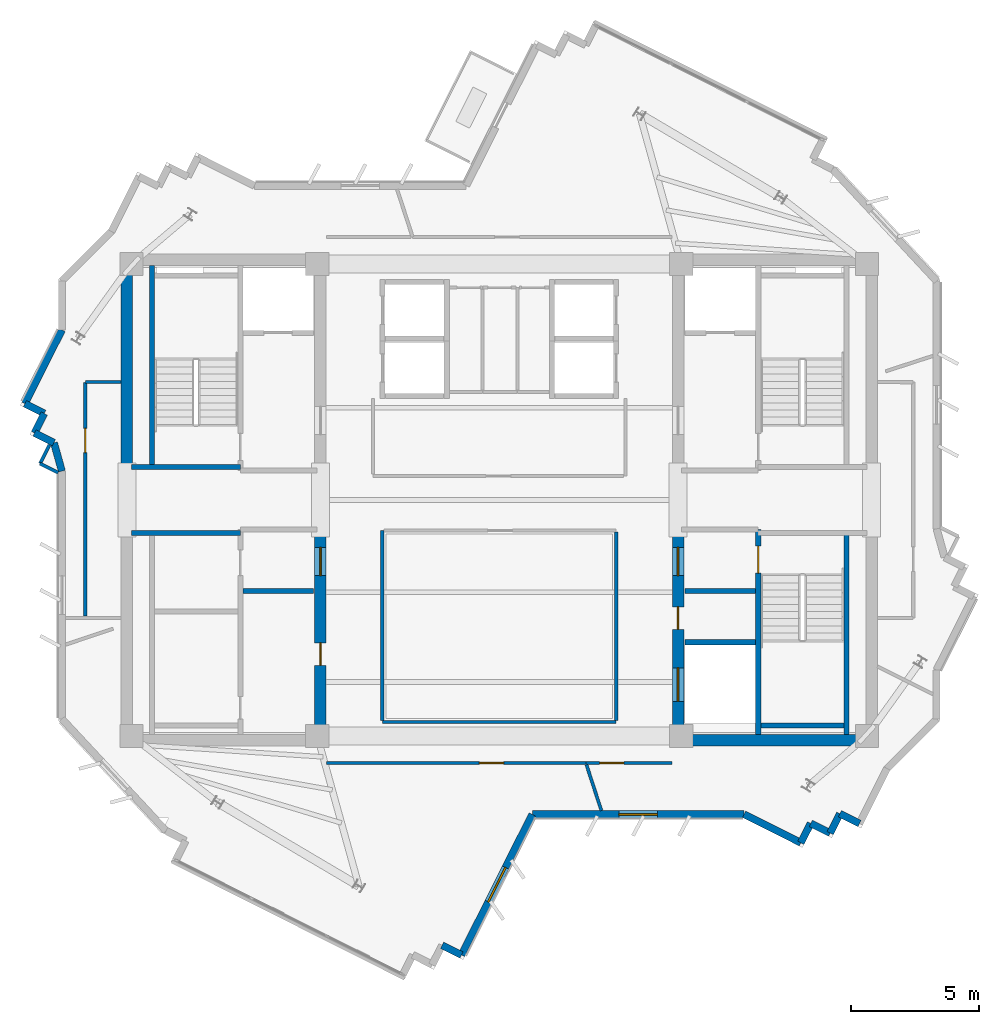
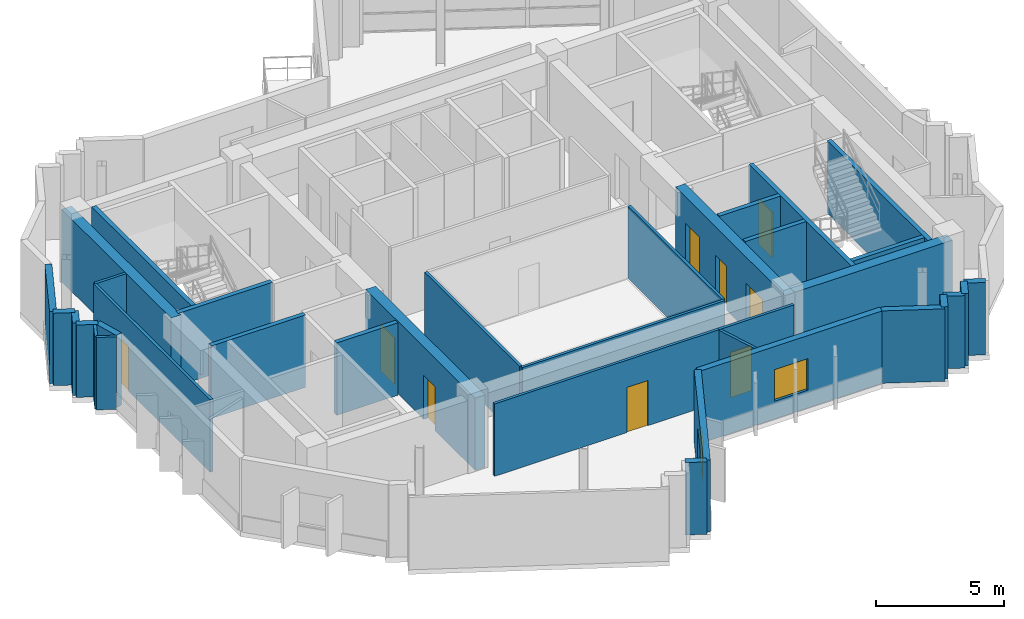
# One storey, part 6 of 11: 36 walls, 9 doors, 2 windows, 11 openings.
"""IFC4 building model written with IfcOpenShell, lengths in metres."""

from ifc_helpers import new_model, si_unit, direction, frame, frame_2d, origin, place, context, subcontext, project, spatial, rectangle, extrude, source, transform, mapped, material, layer, layer_set, type_object, element, fill, save


model = new_model("IFC4")

# Units and contexts
model_context = context("Model", 3, precision=1e-05, world=origin(), true_north=direction((0.0, 1.0)))
body_context = subcontext(model_context, "Body", "Model", "MODEL_VIEW")
ifc_project = project(units=[si_unit("LENGTHUNIT", "METRE"), si_unit("AREAUNIT", "SQUARE_METRE"), si_unit("VOLUMEUNIT", "CUBIC_METRE"), si_unit("PLANEANGLEUNIT", "RADIAN"), si_unit("MASSUNIT", "GRAM", prefix="KILO")], contexts=[model_context])

# Site, building, storey
site_placement = place(None, origin())
site = spatial("IfcSite", under=ifc_project, at=site_placement, CompositionType="ELEMENT")
building_placement = place(site_placement, origin())
building = spatial("IfcBuilding", under=site, at=building_placement, Name="Zahravan Cultural Tower", CompositionType="ELEMENT")
storey_placement = place(building_placement, frame((0.0, 0.0, 357.300048828125)))
storey = spatial("IfcBuildingStorey", under=building, at=storey_placement, Name="L87", CompositionType="ELEMENT", Elevation=357.300048828125)

# Wall, openings, doors
ifc_material_1 = material(Name="Concrete C50/60", Category="concrete")
ifc_layer_1 = layer(ifc_material_1, 0.449951171875)
ifc_layer_set_1 = layer_set([ifc_layer_1], Name="Concrete C50/60")
wall_type_1 = type_object("IfcWallType", Name="CW-SHEAR-450-C50", PredefinedType="SHEAR", material=ifc_layer_set_1)
wall_1_placement = place(storey_placement, frame((29.02490234375, 17.39990234375, 0.0), z_axis=(0.0, 0.0, 1.0), x_axis=(0.0, 1.0, 0.0)))
wall_1 = element("IfcWall", 1, at=wall_1_placement, inside=storey, type_object=wall_type_1, Name="L87 Core Shear Wall CW-W-ES-L87", PredefinedType="SHEAR", context=body_context, shape_type="SweptSolid", body=[
    extrude(rectangle(XDim=8.550048828125, YDim=0.449951171875, at=frame_2d((4.27490234375, 0.0))), origin(), (0.0, 0.0, 1.0), 3.449951171875),
])
opening_1_placement = place(wall_1_placement, frame((6.64990234375, 0.0, 0.0)))
opening_1 = element("IfcOpeningElement", 2, at=opening_1_placement, cuts=wall_1, Name="Opening D-L87-08", PredefinedType="OPENING", context=body_context, shape_type="SweptSolid", body=[
    extrude(rectangle(XDim=1.10009765625, YDim=2.199951171875, at=frame_2d((0.550048828125, 1.10009765625))), frame((0.0, 0.23486328125, 0.0), z_axis=(0.0, -1.0, 0.0), x_axis=(1.0, 0.0, 0.0)), (0.0, 0.0, 1.0), 0.469970703125),
])
opening_2_placement = place(wall_1_placement, frame((3.14990234375, 0.0, 0.0)))
opening_2 = element("IfcOpeningElement", 3, at=opening_2_placement, cuts=wall_1, Name="Opening D-L87-10", PredefinedType="OPENING", context=body_context, shape_type="SweptSolid", body=[
    extrude(rectangle(XDim=0.8798828125, YDim=2.10009765625, at=frame_2d((0.43994140625, 1.050048828125))), frame((0.0, 0.23486328125, 0.0), z_axis=(0.0, -1.0, 0.0), x_axis=(1.0, 0.0, 0.0)), (0.0, 0.0, 1.0), 0.469970703125),
])
ifc_material_2 = material(Name="Steel ASTM A572 Grade 50", Category="steel")
door_type_1 = type_object("IfcDoorType", Name="DR-LOBBY-1100", OperationType="NOTDEFINED", PredefinedType="DOOR", material=ifc_material_2)
shared_shape_1 = source(origin(), body_context, "Body", "SweptSolid", [
    extrude(rectangle(XDim=1.10009765625, YDim=2.199951171875, at=frame_2d((0.550048828125, 1.10009765625))), frame((0.0, 0.02490234375, 0.0), z_axis=(0.0, -1.0, 0.0), x_axis=(1.0, 0.0, 0.0)), (0.0, 0.0, 1.0), 0.050048828125),
])
door_1_placement = place(opening_1_placement, origin())
door_1 = element("IfcDoor", 4, at=door_1_placement, inside=storey, type_object=door_type_1, Name="L87 Door D-L87-08", OperationType="SINGLE_SWING_LEFT", OverallHeight=2.199951171875, OverallWidth=1.10009765625, PredefinedType="DOOR", context=body_context, shape_type="MappedRepresentation", body=[
    mapped(shared_shape_1, transform((0.0, 0.0, 0.0), x_axis=(1.0, 0.0, 0.0), y_axis=(0.0, 1.0, 0.0), z_axis=(0.0, 0.0, 1.0), scale=1.0)),
])
fill(opening_1, door_1)
door_type_2 = type_object("IfcDoorType", Name="DR-SVC-880", OperationType="NOTDEFINED", PredefinedType="DOOR", material=ifc_material_2)
shared_shape_2 = source(origin(), body_context, "Body", "SweptSolid", [
    extrude(rectangle(XDim=0.8798828125, YDim=2.10009765625, at=frame_2d((0.43994140625, 1.050048828125))), frame((0.0, 0.02490234375, 0.0), z_axis=(0.0, -1.0, 0.0), x_axis=(1.0, 0.0, 0.0)), (0.0, 0.0, 1.0), 0.050048828125),
])
door_2_placement = place(opening_2_placement, origin())
door_2 = element("IfcDoor", 5, at=door_2_placement, inside=storey, type_object=door_type_2, Name="L87 Door D-L87-10", OperationType="SINGLE_SWING_LEFT", OverallHeight=2.10009765625, OverallWidth=0.8798828125, PredefinedType="DOOR", context=body_context, shape_type="MappedRepresentation", body=[
    mapped(shared_shape_2, transform((0.0, 0.0, 0.0), x_axis=(1.0, 0.0, 0.0), y_axis=(0.0, 1.0, 0.0), z_axis=(0.0, 0.0, 1.0), scale=1.0)),
])
fill(opening_2, door_2)

wall_2_placement = place(storey_placement, frame((42.97509765625, 17.39990234375, 0.0), z_axis=(0.0, 0.0, 1.0), x_axis=(0.0, 1.0, 0.0)))
wall_2 = element("IfcWall", 6, at=wall_2_placement, inside=storey, type_object=wall_type_1, Name="L87 Core Shear Wall CW-E-WS-L87", PredefinedType="SHEAR", context=body_context, shape_type="SweptSolid", body=[
    extrude(rectangle(XDim=8.550048828125, YDim=0.449951171875, at=frame_2d((4.27490234375, 0.0))), origin(), (0.0, 0.0, 1.0), 3.449951171875),
])
opening_3_placement = place(wall_2_placement, frame((6.64990234375, 0.0, 0.0)))
opening_3 = element("IfcOpeningElement", 7, at=opening_3_placement, cuts=wall_2, Name="Opening D-L87-09", PredefinedType="OPENING", context=body_context, shape_type="SweptSolid", body=[
    extrude(rectangle(XDim=1.10009765625, YDim=2.199951171875, at=frame_2d((0.550048828125, 1.10009765625))), frame((0.0, 0.23486328125, 0.0), z_axis=(0.0, -1.0, 0.0), x_axis=(1.0, 0.0, 0.0)), (0.0, 0.0, 1.0), 0.469970703125),
])
opening_4_placement = place(wall_2_placement, frame((1.75, 0.0, 0.0)))
opening_4 = element("IfcOpeningElement", 8, at=opening_4_placement, cuts=wall_2, Name="Opening LD-L87-03", PredefinedType="OPENING", context=body_context, shape_type="SweptSolid", body=[
    extrude(rectangle(XDim=1.300048828125, YDim=2.199951171875, at=frame_2d((0.64990234375, 1.10009765625))), frame((0.0, 0.23486328125, 0.0), z_axis=(0.0, -1.0, 0.0), x_axis=(1.0, 0.0, 0.0)), (0.0, 0.0, 1.0), 0.469970703125),
])
opening_5_placement = place(wall_2_placement, frame((4.550048828125, 0.0, 0.0)))
opening_5 = element("IfcOpeningElement", 9, at=opening_5_placement, cuts=wall_2, Name="Opening D-L87-11", PredefinedType="OPENING", context=body_context, shape_type="SweptSolid", body=[
    extrude(rectangle(XDim=0.8798828125, YDim=2.10009765625, at=frame_2d((0.43994140625, 1.050048828125))), frame((0.0, 0.23486328125, 0.0), z_axis=(0.0, -1.0, 0.0), x_axis=(1.0, 0.0, 0.0)), (0.0, 0.0, 1.0), 0.469970703125),
])
door_3_placement = place(opening_3_placement, origin())
door_3 = element("IfcDoor", 10, at=door_3_placement, inside=storey, type_object=door_type_1, Name="L87 Door D-L87-09", OperationType="SINGLE_SWING_RIGHT", OverallHeight=2.199951171875, OverallWidth=1.10009765625, PredefinedType="DOOR", context=body_context, shape_type="MappedRepresentation", body=[
    mapped(shared_shape_1, transform((0.0, 0.0, 0.0), x_axis=(1.0, 0.0, 0.0), y_axis=(0.0, 1.0, 0.0), z_axis=(0.0, 0.0, 1.0), scale=1.0)),
])
fill(opening_3, door_3)
door_type_3 = type_object("IfcDoorType", Name="DR-LIFT-1300", OperationType="DOUBLE_DOOR_SLIDING", PredefinedType="DOOR", material=ifc_material_2)
shared_shape_3 = source(origin(), body_context, "Body", "SweptSolid", [
    extrude(rectangle(XDim=1.300048828125, YDim=2.199951171875, at=frame_2d((0.64990234375, 1.10009765625))), frame((0.0, 0.02490234375, 0.0), z_axis=(0.0, -1.0, 0.0), x_axis=(1.0, 0.0, 0.0)), (0.0, 0.0, 1.0), 0.050048828125),
])
door_4_placement = place(opening_4_placement, origin())
door_4 = element("IfcDoor", 11, at=door_4_placement, inside=storey, type_object=door_type_3, Name="L87 Door LD-L87-03", OperationType="DOUBLE_DOOR_SLIDING", OverallHeight=2.199951171875, OverallWidth=1.300048828125, PredefinedType="DOOR", context=body_context, shape_type="MappedRepresentation", body=[
    mapped(shared_shape_3, transform((0.0, 0.0, 0.0), x_axis=(1.0, 0.0, 0.0), y_axis=(0.0, 1.0, 0.0), z_axis=(0.0, 0.0, 1.0), scale=1.0)),
])
fill(opening_4, door_4)
door_5_placement = place(opening_5_placement, origin())
door_5 = element("IfcDoor", 12, at=door_5_placement, inside=storey, type_object=door_type_2, Name="L87 Door D-L87-11", OperationType="SINGLE_SWING_RIGHT", OverallHeight=2.10009765625, OverallWidth=0.8798828125, PredefinedType="DOOR", context=body_context, shape_type="MappedRepresentation", body=[
    mapped(shared_shape_2, transform((0.0, 0.0, 0.0), x_axis=(1.0, 0.0, 0.0), y_axis=(0.0, 1.0, 0.0), z_axis=(0.0, 0.0, 1.0), scale=1.0)),
])
fill(opening_5, door_5)

# Wall, opening, window
ifc_material_3 = material(Name="Precast concrete C40/50", Category="concrete")
ifc_layer_2 = layer(ifc_material_3, 0.280029296875)
ifc_layer_set_2 = layer_set([ifc_layer_2], Name="Precast concrete C40/50")
wall_type_2 = type_object("IfcWallType", Name="EW-TC-280", PredefinedType="SOLIDWALL", material=ifc_layer_set_2)
wall_3_placement = place(storey_placement, frame((45.5537109375, 14.739990234375, 0.0), z_axis=(0.0, 0.0, 1.0), x_axis=(-1.0, 0.0, 0.0)))
wall_3 = element("IfcWall", 13, at=wall_3_placement, inside=storey, type_object=wall_type_2, Name="L87 Exterior Masonry Frame Wall 23", PredefinedType="SOLIDWALL", context=body_context, shape_type="SweptSolid", body=[
    extrude(rectangle(XDim=8.264892578125, YDim=0.280029296875, at=frame_2d((4.13232421875, 0.0))), origin(), (0.0, 0.0, 1.0), 3.449951171875),
])
opening_6_placement = place(wall_3_placement, frame((3.383056640625, 0.0, 0.85009765625)))
opening_6 = element("IfcOpeningElement", 14, at=opening_6_placement, cuts=wall_3, Name="Opening WN-03", PredefinedType="OPENING", context=body_context, shape_type="SweptSolid", body=[
    extrude(rectangle(XDim=1.5, YDim=1.5, at=frame_2d((0.75, 0.75))), frame((0.0, 0.14990234375, 0.0), z_axis=(0.0, -1.0, 0.0), x_axis=(1.0, 0.0, 0.0)), (0.0, 0.0, 1.0), 0.300048828125),
])
ifc_material_4 = material(Name="Low-E solar-control double glazing", Category="glass")
window_type = type_object("IfcWindowType", Name="WN-REC-1500X1500", PartitioningType="SINGLE_PANEL", PredefinedType="WINDOW", material=ifc_material_4)
shared_shape_4 = source(origin(), body_context, "Body", "SweptSolid", [
    extrude(rectangle(XDim=1.5, YDim=1.5, at=frame_2d((0.75, 0.75))), frame((0.0, 0.030029296875, 0.0), z_axis=(0.0, -1.0, 0.0), x_axis=(1.0, 0.0, 0.0)), (0.0, 0.0, 1.0), 0.06005859375),
])
window_1_placement = place(opening_6_placement, origin())
window_1 = element("IfcWindow", 15, at=window_1_placement, inside=storey, type_object=window_type, Name="L87 Recessed Solar Window 03", OverallHeight=1.5, OverallWidth=1.5, PartitioningType="SINGLE_PANEL", PredefinedType="WINDOW", context=body_context, shape_type="MappedRepresentation", body=[
    mapped(shared_shape_4, transform((0.0, 0.0, 0.0), x_axis=(1.0, 0.0, 0.0), y_axis=(0.0, 1.0, 0.0), z_axis=(0.0, 0.0, 1.0), scale=1.0)),
])
fill(opening_6, window_1)

wall_4_placement = place(storey_placement, frame((37.288818359375, 14.739990234375, 0.0), z_axis=(0.0, 0.0, 1.0), x_axis=(-0.449325511899, -0.893368112458, 0.0)))
wall_4 = element("IfcWall", 16, at=wall_4_placement, inside=storey, type_object=wall_type_2, Name="L87 Exterior Masonry Frame Wall 24", PredefinedType="SOLIDWALL", context=body_context, shape_type="SweptSolid", body=[
    extrude(rectangle(XDim=6.146484375, YDim=0.280029296875, at=frame_2d((3.0732421875, 0.0))), origin(), (0.0, 0.0, 1.0), 3.449951171875),
])
opening_7_placement = place(wall_4_placement, frame((2.322998046875, 0.0, 0.85009765625)))
opening_7 = element("IfcOpeningElement", 17, at=opening_7_placement, cuts=wall_4, Name="Opening WN-03", PredefinedType="OPENING", context=body_context, shape_type="SweptSolid", body=[
    extrude(rectangle(XDim=1.5, YDim=1.5, at=frame_2d((0.75, 0.75))), frame((0.0, 0.14990234375, 0.0), z_axis=(0.0, -1.0, 0.0), x_axis=(1.0, 0.0, 0.0)), (0.0, 0.0, 1.0), 0.300048828125),
])
window_2_placement = place(opening_7_placement, origin())
window_2 = element("IfcWindow", 18, at=window_2_placement, inside=storey, type_object=window_type, Name="L87 Recessed Solar Window 04", OverallHeight=1.5, OverallWidth=1.5, PartitioningType="SINGLE_PANEL", PredefinedType="WINDOW", context=body_context, shape_type="MappedRepresentation", body=[
    mapped(shared_shape_4, transform((0.0, 0.0, 0.0), x_axis=(1.0, 0.0, 0.0), y_axis=(0.0, 1.0, 0.0), z_axis=(0.0, 0.0, 1.0), scale=1.0)),
])
fill(opening_7, window_2)

# Wall, opening, door
ifc_material_5 = material(Name="Gypsum plasterboard partition")
ifc_layer_3 = layer(ifc_material_5, 0.125)
ifc_layer_set_3 = layer_set([ifc_layer_3], Name="Gypsum plasterboard partition")
wall_type_3 = type_object("IfcWallType", Name="W-PART-125", PredefinedType="PARTITIONING", material=ifc_layer_set_3)
wall_5_placement = place(storey_placement, frame((39.380126953125, 16.739990234375, 0.0), z_axis=(0.0, 0.0, 1.0), x_axis=(1.0, 0.0, 0.0)))
wall_5 = element("IfcWall", 19, at=wall_5_placement, inside=storey, type_object=wall_type_3, Name="L87 Interior Wall 059", PredefinedType="PARTITIONING", context=body_context, shape_type="SweptSolid", body=[
    extrude(rectangle(XDim=3.364013671875, YDim=0.125, at=frame_2d((1.68212890625, 0.0))), origin(), (0.0, 0.0, 1.0), 3.449951171875),
])
opening_8_placement = place(wall_5_placement, frame((0.531005859375, 0.0, 0.0)))
opening_8 = element("IfcOpeningElement", 20, at=opening_8_placement, cuts=wall_5, Name="Opening D-L87-20", PredefinedType="OPENING", context=body_context, shape_type="SweptSolid", body=[
    extrude(rectangle(XDim=0.949951171875, YDim=2.14990234375, at=frame_2d((0.47509765625, 1.074951171875))), frame((0.0, 0.072509765625, 0.0), z_axis=(0.0, -1.0, 0.0), x_axis=(1.0, 0.0, 0.0)), (0.0, 0.0, 1.0), 0.14501953125),
])
ifc_material_6 = material(Name="Anodised bronze-aluminium mullion", Category="aluminium")
door_type_4 = type_object("IfcDoorType", Name="DR-ROOM-950", OperationType="NOTDEFINED", PredefinedType="DOOR", material=ifc_material_6)
shared_shape_5 = source(origin(), body_context, "Body", "SweptSolid", [
    extrude(rectangle(XDim=0.949951171875, YDim=2.14990234375, at=frame_2d((0.47509765625, 1.074951171875))), frame((0.0, 0.02490234375, 0.0), z_axis=(0.0, -1.0, 0.0), x_axis=(1.0, 0.0, 0.0)), (0.0, 0.0, 1.0), 0.050048828125),
])
door_6_placement = place(opening_8_placement, origin())
door_6 = element("IfcDoor", 21, at=door_6_placement, inside=storey, type_object=door_type_4, Name="L87 Door D-L87-20", OperationType="SINGLE_SWING_LEFT", OverallHeight=2.14990234375, OverallWidth=0.949951171875, PredefinedType="DOOR", context=body_context, shape_type="MappedRepresentation", body=[
    mapped(shared_shape_5, transform((0.0, 0.0, 0.0), x_axis=(1.0, 0.0, 0.0), y_axis=(0.0, 1.0, 0.0), z_axis=(0.0, 0.0, 1.0), scale=1.0)),
])
fill(opening_8, door_6)

wall_6_placement = place(storey_placement, frame((19.850341796875, 31.59228515625, 0.0), z_axis=(0.0, 0.0, 1.0), x_axis=(8.027615e-05, -0.999999996778, 0.0)))
wall_6 = element("IfcWall", 22, at=wall_6_placement, inside=storey, type_object=wall_type_3, Name="L87 Interior Wall 068", PredefinedType="PARTITIONING", context=body_context, shape_type="SweptSolid", body=[
    extrude(rectangle(XDim=9.123779296875, YDim=0.125, at=frame_2d((4.56201171875, 0.0))), origin(), (0.0, 0.0, 1.0), 3.449951171875),
])
opening_9_placement = place(wall_6_placement, frame((1.79833984375, 0.0, 0.0)))
opening_9 = element("IfcOpeningElement", 23, at=opening_9_placement, cuts=wall_6, Name="Opening D-L87-18", PredefinedType="OPENING", context=body_context, shape_type="SweptSolid", body=[
    extrude(rectangle(XDim=0.949951171875, YDim=2.14990234375, at=frame_2d((0.47509765625, 1.074951171875))), frame((0.0, 0.072509765625, 0.0), z_axis=(0.0, -1.0, 0.0), x_axis=(1.0, 0.0, 0.0)), (0.0, 0.0, 1.0), 0.14501953125),
])
door_7_placement = place(opening_9_placement, origin())
door_7 = element("IfcDoor", 24, at=door_7_placement, inside=storey, type_object=door_type_4, Name="L87 Door D-L87-18", OperationType="SINGLE_SWING_LEFT", OverallHeight=2.14990234375, OverallWidth=0.949951171875, PredefinedType="DOOR", context=body_context, shape_type="MappedRepresentation", body=[
    mapped(shared_shape_5, transform((0.0, 0.0, 0.0), x_axis=(1.0, 0.0, 0.0), y_axis=(0.0, 1.0, 0.0), z_axis=(0.0, 0.0, 1.0), scale=1.0)),
])
fill(opening_9, door_7)

wall_7_placement = place(storey_placement, frame((29.257568359375, 16.740234375, 0.0), z_axis=(0.0, 0.0, 1.0), x_axis=(0.999999999709, -2.411847e-05, 0.0)))
wall_7 = element("IfcWall", 25, at=wall_7_placement, inside=storey, type_object=wall_type_3, Name="L87 Interior Wall 073", PredefinedType="PARTITIONING", context=body_context, shape_type="SweptSolid", body=[
    extrude(rectangle(XDim=10.12255859375, YDim=0.125, at=frame_2d((5.061279296875, 0.0))), origin(), (0.0, 0.0, 1.0), 3.449951171875),
])
opening_10_placement = place(wall_7_placement, frame((5.962158203125, 0.0, 0.0)))
opening_10 = element("IfcOpeningElement", 26, at=opening_10_placement, cuts=wall_7, Name="Opening D-L87-19", PredefinedType="OPENING", context=body_context, shape_type="SweptSolid", body=[
    extrude(rectangle(XDim=0.949951171875, YDim=2.14990234375, at=frame_2d((0.47509765625, 1.074951171875))), frame((0.0, 0.072509765625, 0.0), z_axis=(0.0, -1.0, 0.0), x_axis=(1.0, 0.0, 0.0)), (0.0, 0.0, 1.0), 0.14501953125),
])
door_8_placement = place(opening_10_placement, origin())
door_8 = element("IfcDoor", 27, at=door_8_placement, inside=storey, type_object=door_type_4, Name="L87 Door D-L87-19", OperationType="SINGLE_SWING_RIGHT", OverallHeight=2.14990234375, OverallWidth=0.949951171875, PredefinedType="DOOR", context=body_context, shape_type="MappedRepresentation", body=[
    mapped(shared_shape_5, transform((0.0, 0.0, 0.0), x_axis=(1.0, 0.0, 0.0), y_axis=(0.0, 1.0, 0.0), z_axis=(0.0, 0.0, 1.0), scale=1.0)),
])
fill(opening_10, door_8)

ifc_material_7 = material(Name="Concrete C45/55", Category="concrete")
ifc_layer_4 = layer(ifc_material_7, 0.199951171875)
ifc_layer_set_4 = layer_set([ifc_layer_4], Name="Concrete C45/55")
wall_type_4 = type_object("IfcWallType", Name="W-SHAFT-200", PredefinedType="SOLIDWALL", material=ifc_layer_set_4)
wall_8_placement = place(storey_placement, frame((46.10009765625, 17.85009765625, 0.0), z_axis=(0.0, 0.0, 1.0), x_axis=(0.0, 1.0, 0.0)))
wall_8 = element("IfcWall", 28, at=wall_8_placement, inside=storey, type_object=wall_type_4, Name="L87 Interior Wall 007", PredefinedType="SOLIDWALL", context=body_context, shape_type="SweptSolid", body=[
    extrude(rectangle(XDim=8.0, YDim=0.199951171875, at=frame_2d((4.0, 0.0))), origin(), (0.0, 0.0, 1.0), 3.449951171875),
])
opening_11_placement = place(wall_8_placement, frame((6.300048828125, 0.0, 0.0)))
opening_11 = element("IfcOpeningElement", 29, at=opening_11_placement, cuts=wall_8, Name="Opening D-L87-03", PredefinedType="OPENING", context=body_context, shape_type="SweptSolid", body=[
    extrude(rectangle(XDim=1.050048828125, YDim=2.14990234375, at=frame_2d((0.52490234375, 1.074951171875))), frame((0.0, 0.10986328125, 0.0), z_axis=(0.0, -1.0, 0.0), x_axis=(1.0, 0.0, 0.0)), (0.0, 0.0, 1.0), 0.219970703125),
])
door_type_5 = type_object("IfcDoorType", Name="DR-STAIR-1050", OperationType="NOTDEFINED", PredefinedType="DOOR", material=ifc_material_2)
shared_shape_6 = source(origin(), body_context, "Body", "SweptSolid", [
    extrude(rectangle(XDim=1.050048828125, YDim=2.14990234375, at=frame_2d((0.52490234375, 1.074951171875))), frame((0.0, 0.02490234375, 0.0), z_axis=(0.0, -1.0, 0.0), x_axis=(1.0, 0.0, 0.0)), (0.0, 0.0, 1.0), 0.050048828125),
])
door_9_placement = place(opening_11_placement, origin())
door_9 = element("IfcDoor", 30, at=door_9_placement, inside=storey, type_object=door_type_5, Name="L87 Door D-L87-03", OperationType="SINGLE_SWING_RIGHT", OverallHeight=2.14990234375, OverallWidth=1.050048828125, PredefinedType="DOOR", context=body_context, shape_type="MappedRepresentation", body=[
    mapped(shared_shape_6, transform((0.0, 0.0, 0.0), x_axis=(1.0, 0.0, 0.0), y_axis=(0.0, 1.0, 0.0), z_axis=(0.0, 0.0, 1.0), scale=1.0)),
])
fill(opening_11, door_9)

# Walls
shared_shape_7 = source(origin(), body_context, "Body", "SweptSolid", [
    extrude(rectangle(XDim=8.550048828125, YDim=0.449951171875, at=frame_2d((4.27490234375, 0.0))), origin(), (0.0, 0.0, 1.0), 3.449951171875),
])
wall_9_placement = place(storey_placement, frame((21.47509765625, 28.050048828125, 0.0), z_axis=(0.0, 0.0, 1.0), x_axis=(0.0, 1.0, 0.0)))
element("IfcWall", 31, at=wall_9_placement, inside=storey, type_object=wall_type_1, Name="L87 Core Shear Wall CW-W-WN-L87", PredefinedType="SHEAR", context=body_context, shape_type="MappedRepresentation", body=[
    mapped(shared_shape_7, transform((0.0, 0.0, 0.0), x_axis=(1.0, 0.0, 0.0), y_axis=(0.0, 1.0, 0.0), z_axis=(0.0, 0.0, 1.0), scale=1.0)),
])
shared_shape_8 = source(origin(), body_context, "Body", "SweptSolid", [
    extrude(rectangle(XDim=7.10009765625, YDim=0.449951171875, at=frame_2d((3.550048828125, 0.0))), origin(), (0.0, 0.0, 1.0), 3.449951171875),
])
wall_10_placement = place(storey_placement, frame((43.199951171875, 17.625, 0.0), z_axis=(0.0, 0.0, 1.0), x_axis=(1.0, 0.0, 0.0)))
element("IfcWall", 32, at=wall_10_placement, inside=storey, type_object=wall_type_1, Name="L87 Core Shear Wall CW-E-S-L87", PredefinedType="SHEAR", context=body_context, shape_type="MappedRepresentation", body=[
    mapped(shared_shape_8, transform((0.0, 0.0, 0.0), x_axis=(1.0, 0.0, 0.0), y_axis=(0.0, 1.0, 0.0), z_axis=(0.0, 0.0, 1.0), scale=1.0)),
])
shared_shape_9 = source(origin(), body_context, "Body", "SweptSolid", [
    extrude(rectangle(XDim=0.849853515625, YDim=0.280029296875, at=frame_2d((0.4248046875, 0.0))), origin(), (0.0, 0.0, 1.0), 3.449951171875),
])
for number, where, z_axis, x_axis, name in (
    (33, (50.048583984375, 14.38232421875, 0.0), (0.0, 0.0, 1.0), (-0.89339064965, 0.449280699695, 0.0), "L87 Exterior Masonry Frame Wall 18"),
    (34, (48.9072265625, 14.0048828125, 0.0), (0.0, 0.0, 1.0), (-0.89339064965, 0.449280699695, 0.0), "L87 Exterior Masonry Frame Wall 20"),
    (35, (48.14794921875, 14.38671875, 0.0), (0.0, 0.0, 1.0), (-0.449280699695, -0.89339064965, 0.0), "L87 Exterior Masonry Frame Wall 21"),
    (36, (17.87158203125, 29.6142578125, 0.0), (0.0, 0.0, 1.0), (0.449280699695, 0.89339064965, 0.0), "L87 Exterior Masonry Frame Wall 35"),
):
    element("IfcWall", number, at=place(storey_placement, frame(where, z_axis=z_axis, x_axis=x_axis)), inside=storey, type_object=wall_type_2, Name=name, PredefinedType="SOLIDWALL", context=body_context, shape_type="MappedRepresentation", body=[
        mapped(shared_shape_9, transform((0.0, 0.0, 0.0), x_axis=(1.0, 0.0, 0.0), y_axis=(0.0, 1.0, 0.0), z_axis=(0.0, 0.0, 1.0), scale=1.0)),
    ])
shared_shape_10 = source(origin(), body_context, "Body", "SweptSolid", [
    extrude(rectangle(XDim=0.85009765625, YDim=0.280029296875, at=frame_2d((0.425048828125, 0.0))), origin(), (0.0, 0.0, 1.0), 3.449951171875),
])
for number, where, z_axis, x_axis, name in (
    (37, (49.289306640625, 14.76416015625, 0.0), (0.0, 0.0, 1.0), (-0.449509934066, -0.893275332233, 0.0), "L87 Exterior Masonry Frame Wall 19"),
    (38, (34.527099609375, 9.2490234375, 0.0), (0.0, 0.0, 1.0), (-0.893333346715, 0.449394627968, 0.0), "L87 Exterior Masonry Frame Wall 25"),
    (39, (18.631103515625, 29.232421875, 0.0), (0.0, 0.0, 1.0), (-0.893448612452, 0.449165422653, 0.0), "L87 Exterior Masonry Frame Wall 34"),
    (40, (18.25341796875, 30.37353515625, 0.0), (0.0, 0.0, 1.0), (-0.893275332233, 0.449509934066, 0.0), "L87 Exterior Masonry Frame Wall 36"),
):
    element("IfcWall", number, at=place(storey_placement, frame(where, z_axis=z_axis, x_axis=x_axis)), inside=storey, type_object=wall_type_2, Name=name, PredefinedType="SOLIDWALL", context=body_context, shape_type="MappedRepresentation", body=[
        mapped(shared_shape_10, transform((0.0, 0.0, 0.0), x_axis=(1.0, 0.0, 0.0), y_axis=(0.0, 1.0, 0.0), z_axis=(0.0, 0.0, 1.0), scale=1.0)),
    ])
shared_shape_11 = source(origin(), body_context, "Body", "SweptSolid", [
    extrude(rectangle(XDim=1.149169921875, YDim=0.280029296875, at=frame_2d((0.57470703125, 0.0))), origin(), (0.0, 0.0, 1.0), 3.449951171875),
])
wall_11_placement = place(storey_placement, frame((18.93994140625, 28.12548828125, 0.0), z_axis=(0.0, 0.0, 1.0), x_axis=(-0.268739381154, 0.963212928182, 0.0)))
element("IfcWall", 41, at=wall_11_placement, inside=storey, type_object=wall_type_2, Name="L87 Exterior Masonry Frame Wall 33", PredefinedType="SOLIDWALL", context=body_context, shape_type="MappedRepresentation", body=[
    mapped(shared_shape_11, transform((0.0, 0.0, 0.0), x_axis=(1.0, 0.0, 0.0), y_axis=(0.0, 1.0, 0.0), z_axis=(0.0, 0.0, 1.0), scale=1.0)),
])
shared_shape_12 = source(origin(), body_context, "Body", "SweptSolid", [
    extrude(rectangle(XDim=3.217529296875, YDim=0.280029296875, at=frame_2d((1.60888671875, 0.0))), origin(), (0.0, 0.0, 1.0), 3.449951171875),
])
wall_12_placement = place(storey_placement, frame((17.494140625, 30.755615234375, 0.0), z_axis=(0.0, 0.0, 1.0), x_axis=(0.449336858059, 0.89336240574, 0.0)))
element("IfcWall", 42, at=wall_12_placement, inside=storey, type_object=wall_type_2, Name="L87 Exterior Masonry Frame Wall 37", PredefinedType="SOLIDWALL", context=body_context, shape_type="MappedRepresentation", body=[
    mapped(shared_shape_12, transform((0.0, 0.0, 0.0), x_axis=(1.0, 0.0, 0.0), y_axis=(0.0, 1.0, 0.0), z_axis=(0.0, 0.0, 1.0), scale=1.0)),
])
shared_shape_13 = source(origin(), body_context, "Body", "SweptSolid", [
    extrude(rectangle(XDim=2.476318359375, YDim=0.280029296875, at=frame_2d((1.23828125, 0.0))), origin(), (0.0, 0.0, 1.0), 3.449951171875),
])
wall_13_placement = place(storey_placement, frame((47.76611328125, 13.62744140625, 0.0), z_axis=(0.0, 0.0, 1.0), x_axis=(-0.893399530761, 0.449263039249, 0.0)))
element("IfcWall", 43, at=wall_13_placement, inside=storey, type_object=wall_type_2, Name="L87 Exterior Masonry Frame Wall 22", PredefinedType="SOLIDWALL", context=body_context, shape_type="MappedRepresentation", body=[
    mapped(shared_shape_13, transform((0.0, 0.0, 0.0), x_axis=(1.0, 0.0, 0.0), y_axis=(0.0, 1.0, 0.0), z_axis=(0.0, 0.0, 1.0), scale=1.0)),
])
shared_shape_14 = source(origin(), body_context, "Body", "SweptSolid", [
    extrude(rectangle(XDim=7.869873046875, YDim=0.199951171875, at=frame_2d((3.93505859375, 0.0))), origin(), (0.0, 0.0, 1.0), 3.449951171875),
])
for number, where, z_axis, x_axis, name in (
    (44, (22.449951171875, 28.280029296875, 0.0), (0.0, 0.0, 1.0), (0.0, 1.0, 0.0), "L87 Interior Wall 002"),
    (45, (49.550048828125, 17.85009765625, 0.0), (0.0, 0.0, 1.0), (0.0, 1.0, 0.0), "L87 Interior Wall 003"),
):
    element("IfcWall", number, at=place(storey_placement, frame(where, z_axis=z_axis, x_axis=x_axis)), inside=storey, type_object=wall_type_4, Name=name, PredefinedType="SOLIDWALL", context=body_context, shape_type="MappedRepresentation", body=[
        mapped(shared_shape_14, transform((0.0, 0.0, 0.0), x_axis=(1.0, 0.0, 0.0), y_axis=(0.0, 1.0, 0.0), z_axis=(0.0, 0.0, 1.0), scale=1.0)),
    ])
shared_shape_15 = source(origin(), body_context, "Body", "SweptSolid", [
    extrude(rectangle(XDim=4.25, YDim=0.199951171875, at=frame_2d((2.125, 0.0))), origin(), (0.0, 0.0, 1.0), 3.449951171875),
])
for number, where, z_axis, x_axis, name in (
    (46, (21.64990234375, 25.715087890625, 0.0), (0.0, 0.0, 1.0), (1.0, 0.0, 0.0), "L87 Interior Wall 009"),
    (47, (21.64990234375, 28.284912109375, 0.0), (0.0, 0.0, 1.0), (1.0, 0.0, 0.0), "L87 Interior Wall 011"),
):
    element("IfcWall", number, at=place(storey_placement, frame(where, z_axis=z_axis, x_axis=x_axis)), inside=storey, type_object=wall_type_4, Name=name, PredefinedType="SOLIDWALL", context=body_context, shape_type="MappedRepresentation", body=[
        mapped(shared_shape_15, transform((0.0, 0.0, 0.0), x_axis=(1.0, 0.0, 0.0), y_axis=(0.0, 1.0, 0.0), z_axis=(0.0, 0.0, 1.0), scale=1.0)),
    ])
shared_shape_16 = source(origin(), body_context, "Body", "SweptSolid", [
    extrude(rectangle(XDim=3.25, YDim=0.199951171875, at=frame_2d((1.625, 0.0))), origin(), (0.0, 0.0, 1.0), 3.449951171875),
])
wall_14_placement = place(storey_placement, frame((46.199951171875, 18.199951171875, 0.0), z_axis=(0.0, 0.0, 1.0), x_axis=(1.0, 0.0, 0.0)))
element("IfcWall", 48, at=wall_14_placement, inside=storey, type_object=wall_type_4, Name="L87 Interior Wall 020", PredefinedType="SOLIDWALL", context=body_context, shape_type="MappedRepresentation", body=[
    mapped(shared_shape_16, transform((0.0, 0.0, 0.0), x_axis=(1.0, 0.0, 0.0), y_axis=(0.0, 1.0, 0.0), z_axis=(0.0, 0.0, 1.0), scale=1.0)),
])
shared_shape_17 = source(origin(), body_context, "Body", "SweptSolid", [
    extrude(rectangle(XDim=2.75, YDim=0.199951171875, at=frame_2d((1.375, 0.0))), origin(), (0.0, 0.0, 1.0), 3.449951171875),
])
for number, where, z_axis, x_axis, name in (
    (49, (26.0, 23.449951171875, 0.0), (0.0, 0.0, 1.0), (1.0, 0.0, 0.0), "L87 Interior Wall 024"),
    (50, (43.25, 23.449951171875, 0.0), (0.0, 0.0, 1.0), (1.0, 0.0, 0.0), "L87 Interior Wall 025"),
    (51, (43.25, 21.449951171875, 0.0), (0.0, 0.0, 1.0), (1.0, 0.0, 0.0), "L87 Interior Wall 026"),
):
    element("IfcWall", number, at=place(storey_placement, frame(where, z_axis=z_axis, x_axis=x_axis)), inside=storey, type_object=wall_type_4, Name=name, PredefinedType="SOLIDWALL", context=body_context, shape_type="MappedRepresentation", body=[
        mapped(shared_shape_17, transform((0.0, 0.0, 0.0), x_axis=(1.0, 0.0, 0.0), y_axis=(0.0, 1.0, 0.0), z_axis=(0.0, 0.0, 1.0), scale=1.0)),
    ])
shared_shape_18 = source(origin(), body_context, "Body", "SweptSolid", [
    extrude(rectangle(XDim=1.38916015625, YDim=0.125, at=frame_2d((0.694580078125, 0.0))), origin(), (0.0, 0.0, 1.0), 3.449951171875),
])
wall_15_placement = place(storey_placement, frame((21.2451171875, 31.60009765625, 0.0), z_axis=(0.0, 0.0, 1.0), x_axis=(-1.0, 0.0, 0.0)))
element("IfcWall", 52, at=wall_15_placement, inside=storey, type_object=wall_type_3, Name="L87 Interior Wall 067", PredefinedType="PARTITIONING", context=body_context, shape_type="MappedRepresentation", body=[
    mapped(shared_shape_18, transform((0.0, 0.0, 0.0), x_axis=(1.0, 0.0, 0.0), y_axis=(0.0, 1.0, 0.0), z_axis=(0.0, 0.0, 1.0), scale=1.0)),
])
shared_shape_19 = source(origin(), body_context, "Body", "SweptSolid", [
    extrude(rectangle(XDim=0.791259765625, YDim=0.125, at=frame_2d((0.3955078125, 0.0))), origin(), (0.0, 0.0, 1.0), 3.449951171875),
])
wall_16_placement = place(storey_placement, frame((18.794921875, 28.06396484375, 0.0), z_axis=(0.0, 0.0, 1.0), x_axis=(-0.893437787625, 0.449186953999, 0.0)))
element("IfcWall", 53, at=wall_16_placement, inside=storey, type_object=wall_type_3, Name="L87 Interior Wall 063", PredefinedType="PARTITIONING", context=body_context, shape_type="MappedRepresentation", body=[
    mapped(shared_shape_19, transform((0.0, 0.0, 0.0), x_axis=(1.0, 0.0, 0.0), y_axis=(0.0, 1.0, 0.0), z_axis=(0.0, 0.0, 1.0), scale=1.0)),
])
shared_shape_20 = source(origin(), body_context, "Body", "SweptSolid", [
    extrude(rectangle(XDim=0.8251953125, YDim=0.125, at=frame_2d((0.41259765625, 0.0))), origin(), (0.0, 0.0, 1.0), 3.449951171875),
])
wall_17_placement = place(storey_placement, frame((18.087890625, 28.41943359375, 0.0), z_axis=(0.0, 0.0, 1.0), x_axis=(0.449106057678, 0.893478454669, 0.0)))
element("IfcWall", 54, at=wall_17_placement, inside=storey, type_object=wall_type_3, Name="L87 Interior Wall 064", PredefinedType="PARTITIONING", context=body_context, shape_type="MappedRepresentation", body=[
    mapped(shared_shape_20, transform((0.0, 0.0, 0.0), x_axis=(1.0, 0.0, 0.0), y_axis=(0.0, 1.0, 0.0), z_axis=(0.0, 0.0, 1.0), scale=1.0)),
])
shared_shape_21 = source(origin(), body_context, "Body", "SweptSolid", [
    extrude(rectangle(XDim=1.8798828125, YDim=0.125, at=frame_2d((0.93994140625, 0.0))), origin(), (0.0, 0.0, 1.0), 3.449951171875),
])
wall_18_placement = place(storey_placement, frame((39.98388671875, 14.885009765625, 0.0), z_axis=(0.0, 0.0, 1.0), x_axis=(-0.309479545997, 0.950906099786, 0.0)))
element("IfcWall", 55, at=wall_18_placement, inside=storey, type_object=wall_type_3, Name="L87 Interior Wall 060", PredefinedType="PARTITIONING", context=body_context, shape_type="MappedRepresentation", body=[
    mapped(shared_shape_21, transform((0.0, 0.0, 0.0), x_axis=(1.0, 0.0, 0.0), y_axis=(0.0, 1.0, 0.0), z_axis=(0.0, 0.0, 1.0), scale=1.0)),
])
shared_shape_22 = source(origin(), body_context, "Body", "SweptSolid", [
    extrude(rectangle(XDim=9.1201171875, YDim=0.125, at=frame_2d((4.56005859375, 0.0))), origin(), (0.0, 0.0, 1.0), 3.449951171875),
])
wall_19_placement = place(storey_placement, frame((40.56005859375, 18.340087890625, 0.0), z_axis=(0.0, 0.0, 1.0), x_axis=(-1.0, 0.0, 0.0)))
element("IfcWall", 56, at=wall_19_placement, inside=storey, type_object=wall_type_3, Name="L87 Interior Wall 069", PredefinedType="PARTITIONING", context=body_context, shape_type="MappedRepresentation", body=[
    mapped(shared_shape_22, transform((0.0, 0.0, 0.0), x_axis=(1.0, 0.0, 0.0), y_axis=(0.0, 1.0, 0.0), z_axis=(0.0, 0.0, 1.0), scale=1.0)),
])
shared_shape_23 = source(origin(), body_context, "Body", "SweptSolid", [
    extrude(rectangle(XDim=7.402587890625, YDim=0.125, at=frame_2d((3.701171875, 0.0))), origin(), (0.0, 0.0, 1.0), 3.449951171875),
])
wall_20_placement = place(storey_placement, frame((31.43994140625, 18.407470703125, 0.0), z_axis=(0.0, 0.0, 1.0), x_axis=(0.0, 1.0, 0.0)))
element("IfcWall", 57, at=wall_20_placement, inside=storey, type_object=wall_type_3, Name="L87 Interior Wall 070", PredefinedType="PARTITIONING", context=body_context, shape_type="MappedRepresentation", body=[
    mapped(shared_shape_23, transform((0.0, 0.0, 0.0), x_axis=(1.0, 0.0, 0.0), y_axis=(0.0, 1.0, 0.0), z_axis=(0.0, 0.0, 1.0), scale=1.0)),
])
shared_shape_24 = source(origin(), body_context, "Body", "SweptSolid", [
    extrude(rectangle(XDim=7.3349609375, YDim=0.125, at=frame_2d((3.66748046875, 0.0))), origin(), (0.0, 0.0, 1.0), 3.449951171875),
])
wall_21_placement = place(storey_placement, frame((40.56005859375, 25.742431640625, 0.0), z_axis=(0.0, 0.0, 1.0), x_axis=(0.0, -1.0, 0.0)))
element("IfcWall", 58, at=wall_21_placement, inside=storey, type_object=wall_type_3, Name="L87 Interior Wall 072", PredefinedType="PARTITIONING", context=body_context, shape_type="MappedRepresentation", body=[
    mapped(shared_shape_24, transform((0.0, 0.0, 0.0), x_axis=(1.0, 0.0, 0.0), y_axis=(0.0, 1.0, 0.0), z_axis=(0.0, 0.0, 1.0), scale=1.0)),
])

save(model, "model.ifc")
